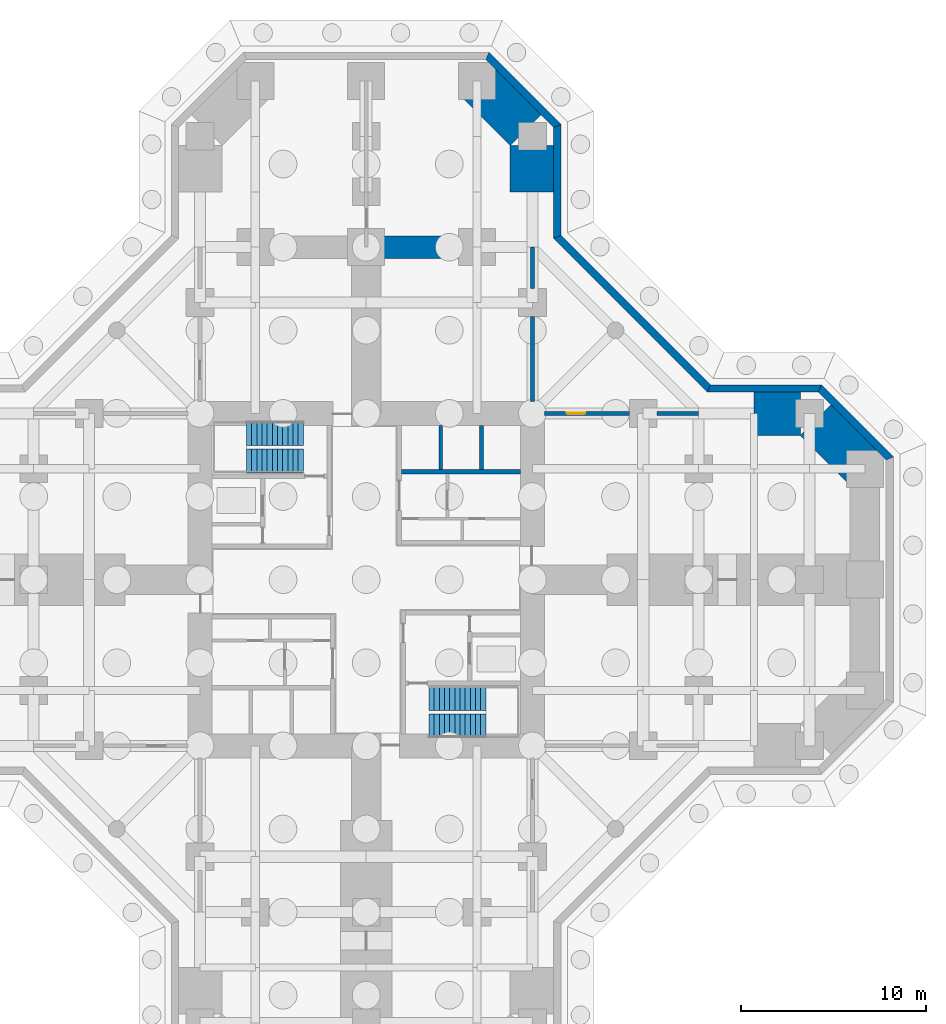
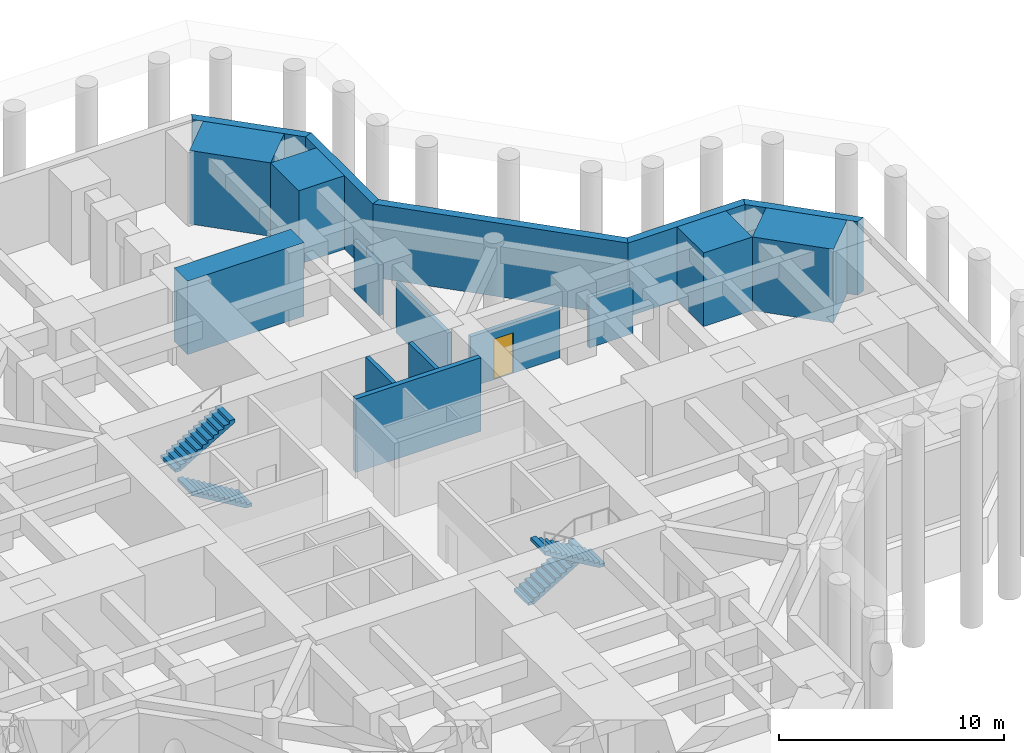
# One storey, part 6 of 8: 17 walls, 4 stair flights, 1 door, 1 opening, 2 elements without a shape of their own.
"""IFC4 building model written with IfcOpenShell, lengths in metres."""

from ifc_helpers import new_model, si_unit, direction, frame, frame_2d, origin, place, context, subcontext, project, spatial, polyline, rectangle, outline, extrude, material, layer, layer_set, constituent, constituent_set, type_object, element, fill, aggregate, save


model = new_model("IFC4")

# Units and contexts
model_context = context("Model", 3, precision=1e-05, world=origin(), true_north=direction((0.0, 1.0)))
body_context = subcontext(model_context, "Body", "Model", "MODEL_VIEW")
ifc_project = project(units=[si_unit("LENGTHUNIT", "METRE"), si_unit("AREAUNIT", "SQUARE_METRE"), si_unit("VOLUMEUNIT", "CUBIC_METRE"), si_unit("PLANEANGLEUNIT", "RADIAN"), si_unit("MASSUNIT", "GRAM", prefix="KILO")], contexts=[model_context])

# Site, building, storey
site_placement = place(None, origin())
site = spatial("IfcSite", under=ifc_project, at=site_placement, CompositionType="ELEMENT")
building_placement = place(site_placement, origin())
building = spatial("IfcBuilding", under=site, at=building_placement, Name="Torre Cruceta", CompositionType="ELEMENT")
storey_placement = place(building_placement, frame((0.0, 0.0, -8.0)))
storey = spatial("IfcBuildingStorey", under=building, at=storey_placement, Name="B02", CompositionType="ELEMENT", Elevation=-8.0)

# Walls
ifc_material_1 = material(Name="Concrete G60 (fck 60 MPa)", Category="concrete")
ifc_layer_1 = layer(ifc_material_1, 2.39990234375)
ifc_layer_set_1 = layer_set([ifc_layer_1], Name="Concrete G60 (fck 60 MPa)")
wall_type_1 = type_object("IfcWallType", Name="BASEMENT ARM WALL 2400 G60", PredefinedType="SHEAR", material=ifc_layer_set_1)
wall_1_placement = place(storey_placement, frame((9.0, 21.0, 0.0), z_axis=(0.0, 0.0, 1.0), x_axis=(0.0, 1.0, 0.0)))
element("IfcWall", 1, at=wall_1_placement, inside=storey, type_object=wall_type_1, Name="BW1 basement arm wall B02 N R1", PredefinedType="SHEAR", context=body_context, shape_type="SweptSolid", body=[
    extrude(rectangle(XDim=2.5029296875, YDim=2.39990234375, at=frame_2d((1.25146484375, 0.0))), origin(), (0.0, 0.0, 1.0), 4.0),
])
wall_2_placement = place(storey_placement, frame((8.6484375, 24.3515625, 0.0), z_axis=(0.0, 0.0, 1.0), x_axis=(-0.707106781187, 0.707106781187, 0.0)))
element("IfcWall", 2, at=wall_2_placement, inside=storey, type_object=wall_type_1, Name="BW1 basement arm wall B02 N R2", PredefinedType="SHEAR", context=body_context, shape_type="SweptSolid", body=[
    extrude(rectangle(XDim=3.745361328125, YDim=2.39990234375, at=frame_2d((1.87255859375, 0.0))), origin(), (0.0, 0.0, 1.0), 4.0),
])
wall_3_placement = place(storey_placement, frame((21.0, 9.0, 0.0), z_axis=(0.0, 0.0, 1.0), x_axis=(1.0, 0.0, 0.0)))
element("IfcWall", 3, at=wall_3_placement, inside=storey, type_object=wall_type_1, Name="BW1 basement arm wall B02 E L1", PredefinedType="SHEAR", context=body_context, shape_type="SweptSolid", body=[
    extrude(rectangle(XDim=2.5029296875, YDim=2.39990234375, at=frame_2d((1.25146484375, 0.0))), origin(), (0.0, 0.0, 1.0), 4.0),
])
wall_4_placement = place(storey_placement, frame((24.3515625, 8.6484375, 0.0), z_axis=(0.0, 0.0, 1.0), x_axis=(0.707106781187, -0.707106781187, 0.0)))
element("IfcWall", 4, at=wall_4_placement, inside=storey, type_object=wall_type_1, Name="BW1 basement arm wall B02 E L2", PredefinedType="SHEAR", context=body_context, shape_type="SweptSolid", body=[
    extrude(rectangle(XDim=3.745361328125, YDim=2.39990234375, at=frame_2d((1.87255859375, 0.0))), origin(), (0.0, 0.0, 1.0), 4.0),
])
ifc_material_2 = material(Name="Concrete G45 (fck 45 MPa)", Category="concrete")
ifc_layer_2 = layer(ifc_material_2, 0.39990234375)
ifc_layer_set_2 = layer_set([ifc_layer_2], Name="Concrete G45 (fck 45 MPa)")
wall_type_2 = type_object("IfcWallType", Name="BASEMENT RETAINING WALL 400", PredefinedType="SOLIDWALL", material=ifc_layer_set_2)
wall_5_placement = place(storey_placement, origin())
element("IfcWall", 5, at=wall_5_placement, inside=storey, type_object=wall_type_2, Name="Retaining wall RW1 B02-17", PredefinedType="SOLIDWALL", context=body_context, shape_type="SweptSolid", body=[
    extrude(outline(polyline([(6.476318359375, 28.14990234375), (6.64208984375, 28.550048828125), (10.550048828125, 24.64208984375), (10.14990234375, 24.476318359375), (6.476318359375, 28.14990234375)])), origin(), (0.0, 0.0, 1.0), 4.0),
])
wall_6_placement = place(storey_placement, origin())
element("IfcWall", 6, at=wall_6_placement, inside=storey, type_object=wall_type_2, Name="Retaining wall RW1 B02-18", PredefinedType="SOLIDWALL", context=body_context, shape_type="SweptSolid", body=[
    extrude(outline(polyline([(10.14990234375, 24.476318359375), (10.550048828125, 24.64208984375), (10.550048828125, 18.64208984375), (10.14990234375, 18.476318359375), (10.14990234375, 24.476318359375)])), origin(), (0.0, 0.0, 1.0), 4.0),
])
wall_7_placement = place(storey_placement, origin())
element("IfcWall", 7, at=wall_7_placement, inside=storey, type_object=wall_type_2, Name="Retaining wall RW1 B02-19", PredefinedType="SOLIDWALL", context=body_context, shape_type="SweptSolid", body=[
    extrude(outline(polyline([(10.14990234375, 18.476318359375), (10.550048828125, 18.64208984375), (18.64208984375, 10.550048828125), (18.476318359375, 10.14990234375), (10.14990234375, 18.476318359375)])), origin(), (0.0, 0.0, 1.0), 4.0),
])
wall_8_placement = place(storey_placement, origin())
element("IfcWall", 8, at=wall_8_placement, inside=storey, type_object=wall_type_2, Name="Retaining wall RW1 B02-20", PredefinedType="SOLIDWALL", context=body_context, shape_type="SweptSolid", body=[
    extrude(outline(polyline([(18.476318359375, 10.14990234375), (18.64208984375, 10.550048828125), (24.64208984375, 10.550048828125), (24.476318359375, 10.14990234375), (18.476318359375, 10.14990234375)])), origin(), (0.0, 0.0, 1.0), 4.0),
])
wall_9_placement = place(storey_placement, origin())
element("IfcWall", 9, at=wall_9_placement, inside=storey, type_object=wall_type_2, Name="Retaining wall RW1 B02-21", PredefinedType="SOLIDWALL", context=body_context, shape_type="SweptSolid", body=[
    extrude(outline(polyline([(24.476318359375, 10.14990234375), (24.64208984375, 10.550048828125), (28.550048828125, 6.64208984375), (28.14990234375, 6.476318359375), (24.476318359375, 10.14990234375)])), origin(), (0.0, 0.0, 1.0), 4.0),
])
ifc_material_3 = material(Name="Concrete G60 (fck 60 MPa)", Category="concrete")
ifc_layer_3 = layer(ifc_material_3, 0.25)
ifc_layer_set_3 = layer_set([ifc_layer_3], Name="Concrete G60 (fck 60 MPa)")
wall_type_3 = type_object("IfcWallType", Name="CORE INNER WALL 250 G60", PredefinedType="SHEAR", material=ifc_layer_set_3)
wall_10_placement = place(storey_placement, frame((1.925048828125, 5.85009765625, 0.0), z_axis=(0.0, 0.0, 1.0), x_axis=(1.0, 0.0, 0.0)))
element("IfcWall", 10, at=wall_10_placement, inside=storey, type_object=wall_type_3, Name="CW4 B02 NE-LV", PredefinedType="SHEAR", context=body_context, shape_type="SweptSolid", body=[
    extrude(rectangle(XDim=6.425048828125, YDim=0.25, at=frame_2d((3.21240234375, 0.0))), origin(), (0.0, 0.0, 1.0), 4.0),
])
ifc_material_4 = material(Name="Concrete G60 (fck 60 MPa)", Category="concrete")
ifc_layer_4 = layer(ifc_material_4, 1.199951171875)
ifc_layer_set_4 = layer_set([ifc_layer_4], Name="Concrete G60 (fck 60 MPa)")
wall_type_4 = type_object("IfcWallType", Name="CROSS WALL 1200 G60", PredefinedType="SHEAR", material=ifc_layer_set_4)
wall_11_placement = place(storey_placement, frame((0.0, 18.0, 0.0), z_axis=(0.0, 0.0, 1.0), x_axis=(1.0, 0.0, 0.0)))
element("IfcWall", 11, at=wall_11_placement, inside=storey, type_object=wall_type_4, Name="XW1 cross wall B02 N R", PredefinedType="SHEAR", context=body_context, shape_type="SweptSolid", body=[
    extrude(rectangle(XDim=6.0, YDim=1.199951171875, at=frame_2d((3.0, 0.0))), origin(), (0.0, 0.0, 1.0), 4.0),
])
ifc_material_5 = material(Name="Concrete G35 (fck 35 MPa)", Category="concrete")
ifc_layer_5 = layer(ifc_material_5, 0.199951171875)
ifc_layer_set_5 = layer_set([ifc_layer_5], Name="Concrete G35 (fck 35 MPa)")
wall_type_5 = type_object("IfcWallType", Name="LIFT SHAFT WALL 200", PredefinedType="PARTITIONING", material=ifc_layer_set_5)
for number, where, z_axis, x_axis, name in (
    (12, (4.033447265625, 5.97509765625, 0.0), (0.0, 0.0, 1.0), (0.0, 1.0, 0.0), "SW1 B02 NE-LS1"),
    (13, (6.24169921875, 5.97509765625, 0.0), (0.0, 0.0, 1.0), (0.0, 1.0, 0.0), "SW1 B02 NE-LS2"),
):
    element("IfcWall", number, at=place(storey_placement, frame(where, z_axis=z_axis, x_axis=x_axis)), inside=storey, type_object=wall_type_5, Name=name, PredefinedType="PARTITIONING", context=body_context, shape_type="SweptSolid", body=[
        extrude(rectangle(XDim=2.375, YDim=0.199951171875, at=frame_2d((1.1875, 0.0))), origin(), (0.0, 0.0, 1.0), 4.0),
    ])

# Wall, opening, door
ifc_material_6 = material(Name="Concrete G25 (fck 25 MPa)", Category="concrete")
ifc_layer_6 = layer(ifc_material_6, 0.199951171875)
ifc_layer_set_6 = layer_set([ifc_layer_6], Name="Concrete G25 (fck 25 MPa)")
wall_type_6 = type_object("IfcWallType", Name="WING SEPARATING WALL 200", PredefinedType="SOLIDWALL", material=ifc_layer_set_6)
wall_12_placement = place(storey_placement, frame((9.64990234375, 9.0, 0.0), z_axis=(0.0, 0.0, 1.0), x_axis=(1.0, 0.0, 0.0)))
wall_12 = element("IfcWall", 14, at=wall_12_placement, inside=storey, type_object=wall_type_6, Name="PT6 B02-WING-E-A1", PredefinedType="SOLIDWALL", context=body_context, shape_type="SweptSolid", body=[
    extrude(rectangle(XDim=4.60009765625, YDim=0.199951171875, at=frame_2d((2.300048828125, 0.0))), origin(), (0.0, 0.0, 1.0), 2.75),
])
opening_placement = place(wall_12_placement, frame((1.199951171875, 0.0, 0.0)))
opening = element("IfcOpeningElement", 15, at=opening_placement, cuts=wall_12, Name="Opening D14", PredefinedType="OPENING", context=body_context, shape_type="SweptSolid", body=[
    extrude(rectangle(XDim=1.0, YDim=2.199951171875, at=frame_2d((0.5, 1.10009765625))), frame((0.0, 0.10986328125, 0.0), z_axis=(0.0, -1.0, 0.0), x_axis=(1.0, 0.0, 0.0)), (0.0, 0.0, 1.0), 0.219970703125),
])
ifc_material_7 = material(Name="Steel DX51D", Category="steel")
ifc_constituent_1 = constituent(ifc_material_7, Name="Leaf and frame")
ifc_material_8 = material(Name="Polyester powder coating", Category="paint")
ifc_constituent_2 = constituent(ifc_material_8, Name="Finish")
ifc_material_9 = material(Name="Fire-resisting glass", Category="glass")
ifc_constituent_3 = constituent(ifc_material_9, Name="Vision panel")
ifc_constituent_set = constituent_set(constituents=[ifc_constituent_1, ifc_constituent_2, ifc_constituent_3], Name="Steel fire door with vision panel")
door_type = type_object("IfcDoorType", Name="FIRE DOOR VISION PANEL 1000X2200", OperationType="SINGLE_SWING_RIGHT", PredefinedType="DOOR", material=ifc_constituent_set)
door_placement = place(opening_placement, origin())
door = element("IfcDoor", 16, at=door_placement, inside=storey, type_object=door_type, Name="D14 B02-WING-E-A1-D1", OperationType="SINGLE_SWING_LEFT", OverallHeight=2.199951171875, OverallWidth=1.0, PredefinedType="DOOR", context=body_context, shape_type="SweptSolid", body=[
    extrude(rectangle(XDim=1.0, YDim=2.199951171875, at=frame_2d((0.5, 1.10009765625))), frame((0.0, 0.02490234375, 0.0), z_axis=(0.0, -1.0, 0.0), x_axis=(1.0, 0.0, 0.0)), (0.0, 0.0, 1.0), 0.050048828125),
])
fill(opening, door)

# Walls
wall_13_placement = place(storey_placement, frame((15.75, 9.0, 0.0), z_axis=(0.0, 0.0, 1.0), x_axis=(1.0, 0.0, 0.0)))
element("IfcWall", 17, at=wall_13_placement, inside=storey, type_object=wall_type_6, Name="PT6 B02-WING-E-A2", PredefinedType="SOLIDWALL", context=body_context, shape_type="SweptSolid", body=[
    extrude(rectangle(XDim=2.25, YDim=0.199951171875, at=frame_2d((1.125, 0.0))), origin(), (0.0, 0.0, 1.0), 2.75),
])
wall_14_placement = place(storey_placement, frame((9.0, 14.25, 0.0), z_axis=(0.0, 0.0, 1.0), x_axis=(0.0, -1.0, 0.0)))
element("IfcWall", 18, at=wall_14_placement, inside=storey, type_object=wall_type_6, Name="PT6 B02-WING-E-B1", PredefinedType="SOLIDWALL", context=body_context, shape_type="SweptSolid", body=[
    extrude(rectangle(XDim=4.60009765625, YDim=0.199951171875, at=frame_2d((2.300048828125, 0.0))), origin(), (0.0, 0.0, 1.0), 2.75),
])
wall_15_placement = place(storey_placement, frame((9.0, 18.0, 0.0), z_axis=(0.0, 0.0, 1.0), x_axis=(0.0, -1.0, 0.0)))
element("IfcWall", 19, at=wall_15_placement, inside=storey, type_object=wall_type_6, Name="PT6 B02-WING-E-B2", PredefinedType="SOLIDWALL", context=body_context, shape_type="SweptSolid", body=[
    extrude(rectangle(XDim=2.25, YDim=0.199951171875, at=frame_2d((1.125, 0.0))), origin(), (0.0, 0.0, 1.0), 2.75),
])

# Stair, stair flights
ifc_material_10 = material(Name="Concrete G30 (fck 30 MPa)", Category="concrete")
stair_type = type_object("IfcStairType", Name="STAIR HALF-TURN 1300", PredefinedType="HALF_TURN_STAIR", material=ifc_material_10)
stair_1_placement = place(storey_placement, origin())
stair_1 = element("IfcStair", 20, at=stair_1_placement, inside=storey, type_object=stair_type, Name="Stair ST1 B02", PredefinedType="HALF_TURN_STAIR")
ifc_material_11 = material(Name="Concrete G30 (fck 30 MPa)", Category="concrete")
stair_flight_type = type_object("IfcStairFlightType", Name="STAIR FLIGHT 1300", PredefinedType="STRAIGHT", material=ifc_material_11)
stair_flight_1_placement = place(storey_placement, frame((-3.39990234375, 6.425048828125, 0.0), z_axis=(0.0, 0.0, 1.0), x_axis=(-1.0, 0.0, 0.0)))
stair_flight_1 = element("IfcStairFlight", 21, at=stair_flight_1_placement, type_object=stair_flight_type, Name="ST1 flight 1", NumberOfRisers=12, NumberOfTreads=11, PredefinedType="STRAIGHT", RiserHeight=0.166666667, TreadLength=0.28, context=body_context, shape_type="SweptSolid", body=[
    extrude(outline(polyline([(0.0, 0.0), (0.0, 0.166748046875), (0.280029296875, 0.166748046875), (0.280029296875, 0.333251953125), (0.56005859375, 0.333251953125), (0.56005859375, 0.5), (0.840087890625, 0.5), (0.840087890625, 0.666748046875), (1.1201171875, 0.666748046875), (1.1201171875, 0.833251953125), (1.39990234375, 0.833251953125), (1.39990234375, 1.0), (1.679931640625, 1.0), (1.679931640625, 1.166748046875), (1.9599609375, 1.166748046875), (1.9599609375, 1.333251953125), (2.239990234375, 1.333251953125), (2.239990234375, 1.5), (2.52001953125, 1.5), (2.52001953125, 1.666748046875), (2.800048828125, 1.666748046875), (2.800048828125, 1.833251953125), (3.080078125, 1.833251953125), (3.080078125, 2.0), (3.080078125, 1.658935546875), (0.29296875, 0.0), (0.0, 0.0)])), frame((0.0, 0.64990234375, 0.0), z_axis=(0.0, -1.0, 0.0), x_axis=(1.0, 0.0, 0.0)), (0.0, 0.0, 1.0), 1.300048828125),
])
stair_flight_2_placement = place(storey_placement, frame((-6.47998046875, 7.925048828125, 2.0), z_axis=(0.0, 0.0, 1.0), x_axis=(1.0, 0.0, 0.0)))
stair_flight_2 = element("IfcStairFlight", 22, at=stair_flight_2_placement, type_object=stair_flight_type, Name="ST1 flight 2", NumberOfRisers=12, NumberOfTreads=11, PredefinedType="STRAIGHT", RiserHeight=0.166666667, TreadLength=0.28, context=body_context, shape_type="SweptSolid", body=[
    extrude(outline(polyline([(0.0, 0.0), (0.0, 0.166748046875), (0.280029296875, 0.166748046875), (0.280029296875, 0.333251953125), (0.56005859375, 0.333251953125), (0.56005859375, 0.5), (0.840087890625, 0.5), (0.840087890625, 0.666748046875), (1.1201171875, 0.666748046875), (1.1201171875, 0.833251953125), (1.39990234375, 0.833251953125), (1.39990234375, 1.0), (1.679931640625, 1.0), (1.679931640625, 1.166748046875), (1.9599609375, 1.166748046875), (1.9599609375, 1.333251953125), (2.239990234375, 1.333251953125), (2.239990234375, 1.5), (2.52001953125, 1.5), (2.52001953125, 1.666748046875), (2.800048828125, 1.666748046875), (2.800048828125, 1.833251953125), (3.080078125, 1.833251953125), (3.080078125, 2.0), (3.080078125, 1.658935546875), (0.29296875, 0.0), (0.0, 0.0)])), frame((0.0, 0.64990234375, 0.0), z_axis=(0.0, -1.0, 0.0), x_axis=(1.0, 0.0, 0.0)), (0.0, 0.0, 1.0), 1.300048828125),
])
aggregate(stair_1, [stair_flight_1, stair_flight_2])

stair_2_placement = place(storey_placement, origin())
stair_2 = element("IfcStair", 23, at=stair_2_placement, inside=storey, type_object=stair_type, Name="Stair ST2 B02", PredefinedType="HALF_TURN_STAIR")
stair_flight_3_placement = place(storey_placement, frame((3.39990234375, -6.425048828125, 0.0), z_axis=(0.0, 0.0, 1.0), x_axis=(1.0, 0.0, 0.0)))
stair_flight_3 = element("IfcStairFlight", 24, at=stair_flight_3_placement, type_object=stair_flight_type, Name="ST2 flight 1", NumberOfRisers=12, NumberOfTreads=11, PredefinedType="STRAIGHT", RiserHeight=0.166666667, TreadLength=0.28, context=body_context, shape_type="SweptSolid", body=[
    extrude(outline(polyline([(0.0, 0.0), (0.0, 0.166748046875), (0.280029296875, 0.166748046875), (0.280029296875, 0.333251953125), (0.56005859375, 0.333251953125), (0.56005859375, 0.5), (0.840087890625, 0.5), (0.840087890625, 0.666748046875), (1.1201171875, 0.666748046875), (1.1201171875, 0.833251953125), (1.39990234375, 0.833251953125), (1.39990234375, 1.0), (1.679931640625, 1.0), (1.679931640625, 1.166748046875), (1.9599609375, 1.166748046875), (1.9599609375, 1.333251953125), (2.239990234375, 1.333251953125), (2.239990234375, 1.5), (2.52001953125, 1.5), (2.52001953125, 1.666748046875), (2.800048828125, 1.666748046875), (2.800048828125, 1.833251953125), (3.080078125, 1.833251953125), (3.080078125, 2.0), (3.080078125, 1.658935546875), (0.29296875, 0.0), (0.0, 0.0)])), frame((0.0, 0.64990234375, 0.0), z_axis=(0.0, -1.0, 0.0), x_axis=(1.0, 0.0, 0.0)), (0.0, 0.0, 1.0), 1.300048828125),
])
stair_flight_4_placement = place(storey_placement, frame((6.47998046875, -7.925048828125, 2.0), z_axis=(0.0, 0.0, 1.0), x_axis=(-1.0, 0.0, 0.0)))
stair_flight_4 = element("IfcStairFlight", 25, at=stair_flight_4_placement, type_object=stair_flight_type, Name="ST2 flight 2", NumberOfRisers=12, NumberOfTreads=11, PredefinedType="STRAIGHT", RiserHeight=0.166666667, TreadLength=0.28, context=body_context, shape_type="SweptSolid", body=[
    extrude(outline(polyline([(0.0, 0.0), (0.0, 0.166748046875), (0.280029296875, 0.166748046875), (0.280029296875, 0.333251953125), (0.56005859375, 0.333251953125), (0.56005859375, 0.5), (0.840087890625, 0.5), (0.840087890625, 0.666748046875), (1.1201171875, 0.666748046875), (1.1201171875, 0.833251953125), (1.39990234375, 0.833251953125), (1.39990234375, 1.0), (1.679931640625, 1.0), (1.679931640625, 1.166748046875), (1.9599609375, 1.166748046875), (1.9599609375, 1.333251953125), (2.239990234375, 1.333251953125), (2.239990234375, 1.5), (2.52001953125, 1.5), (2.52001953125, 1.666748046875), (2.800048828125, 1.666748046875), (2.800048828125, 1.833251953125), (3.080078125, 1.833251953125), (3.080078125, 2.0), (3.080078125, 1.658935546875), (0.29296875, 0.0), (0.0, 0.0)])), frame((0.0, 0.64990234375, 0.0), z_axis=(0.0, -1.0, 0.0), x_axis=(1.0, 0.0, 0.0)), (0.0, 0.0, 1.0), 1.300048828125),
])
aggregate(stair_2, [stair_flight_3, stair_flight_4])

save(model, "model.ifc")
